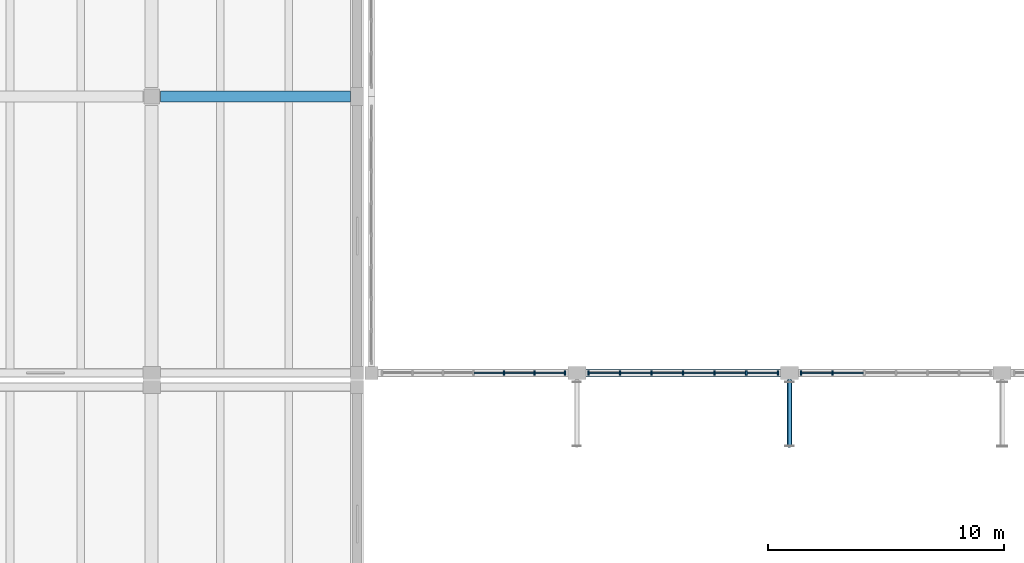
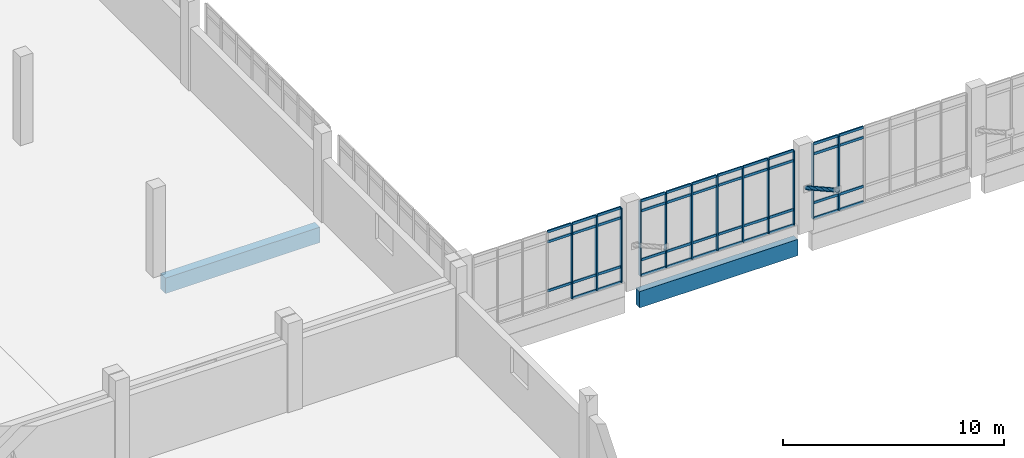
# One storey, part 24 of 110: 56 members, 2 beams, 3 elements without a shape of their own.
"""IFC4 building model written with IfcOpenShell, lengths in metres."""

from ifc_helpers import new_model, si_unit, direction, frame, origin, origin_2d, place, context, subcontext, project, spatial, rectangle, hollow_circle, extrude, material, layer, layer_set, material_profile, profile_set, type_object, element, aggregate, save


model = new_model("IFC4")

# Units and contexts
model_context = context("Model", 3, precision=1e-05, world=origin(), true_north=direction((0.0, 1.0)))
body_context = subcontext(model_context, "Body", "Model", "MODEL_VIEW")
ifc_project = project(units=[si_unit("LENGTHUNIT", "METRE"), si_unit("AREAUNIT", "SQUARE_METRE"), si_unit("VOLUMEUNIT", "CUBIC_METRE"), si_unit("PLANEANGLEUNIT", "RADIAN"), si_unit("MASSUNIT", "GRAM", prefix="KILO")], contexts=[model_context])

# Site, building, storey
site_placement = place(None, origin())
site = spatial("IfcSite", under=ifc_project, at=site_placement, CompositionType="ELEMENT")
building_placement = place(site_placement, origin())
building = spatial("IfcBuilding", under=site, at=building_placement, Name="Zacnel Wholesale Market", CompositionType="ELEMENT")
storey_placement = place(building_placement, frame((0.0, 0.0, 6.300048828125)))
storey = spatial("IfcBuildingStorey", under=building, at=storey_placement, Name="L02", CompositionType="ELEMENT", Elevation=6.300048828125)

# Beams
ifc_material_1 = material(Name="Precast concrete C45/55", Category="concrete")
ifc_material_profile_1 = material_profile(ifc_material_1, rectangle(XDim=0.449951171875, YDim=0.85009765625, at=origin_2d()), Name="PG 450x850")
ifc_profile_set_1 = profile_set([ifc_material_profile_1], Name="Precast concrete C45/55")
beam_type_1 = type_object("IfcBeamType", Name="BM-PG850", PredefinedType="BEAM", material=ifc_profile_set_1)
beam_1_placement = place(storey_placement, frame((63.375, 108.0, -0.7451171875), z_axis=(1.0, 0.0, 0.0), x_axis=(0.0, 1.0, 0.0)))
element("IfcBeam", 1, at=beam_1_placement, inside=storey, type_object=beam_type_1, Name="Precast girder X-0249", PredefinedType="BEAM", context=body_context, shape_type="SweptSolid", body=[
    extrude(rectangle(XDim=0.449951171875, YDim=0.85009765625, at=origin_2d()), origin(), (0.0, 0.0, 1.0), 8.050048828125),
])
ifc_material_2 = material(Name="Precast concrete C45/55", Category="concrete")
ifc_material_profile_2 = material_profile(ifc_material_2, rectangle(XDim=0.35009765625, YDim=0.89990234375, at=origin_2d()), Name="SP 350x900")
ifc_profile_set_2 = profile_set([ifc_material_profile_2], Name="Precast concrete C45/55")
beam_type_2 = type_object("IfcBeamType", Name="BM-SP900", PredefinedType="SPANDREL", material=ifc_profile_set_2)
beam_2_placement = place(storey_placement, frame((81.375, 96.300048828125, -0.75), z_axis=(1.0, 0.0, 0.0), x_axis=(0.0, 1.0, 0.0)))
element("IfcBeam", 2, at=beam_2_placement, inside=storey, type_object=beam_type_2, Name="Precast girder X-0230", PredefinedType="SPANDREL", context=body_context, shape_type="SweptSolid", body=[
    extrude(rectangle(XDim=0.35009765625, YDim=0.89990234375, at=origin_2d()), origin(), (0.0, 0.0, 1.0), 8.25),
])

# Curtain wall, members
ifc_material_3 = material(Name="Anodised aluminium", Category="aluminium")
ifc_layer = layer(ifc_material_3, 0.159912109375)
ifc_layer_set = layer_set([ifc_layer], Name="Anodised aluminium")
curtain_wall_type = type_object("IfcCurtainWallType", Name="CW-NAVE-4200", PredefinedType="NOTDEFINED", material=ifc_layer_set)
curtain_wall_1_placement = place(storey_placement, origin())
curtain_wall_1 = element("IfcCurtainWall", 3, at=curtain_wall_1_placement, inside=storey, type_object=curtain_wall_type, Name="Curtain wall ENV-R2-CW-L02-020", PredefinedType="NOTDEFINED")
ifc_material_4 = material(Name="Anodised aluminium", Category="aluminium")
ifc_material_profile_3 = material_profile(ifc_material_4, rectangle(XDim=0.06494140625, YDim=0.179931640625, at=origin_2d()), Name="AW-MULLION 65x180")
ifc_profile_set_3 = profile_set([ifc_material_profile_3], Name="Anodised aluminium")
member_type_1 = type_object("IfcMemberType", Name="CWM-MUL-03", PredefinedType="MULLION", material=ifc_profile_set_3)
member_1_placement = place(storey_placement, frame((77.919921875, 96.300048828125, 0.449951171875), z_axis=(0.0, 0.0, 1.0), x_axis=(1.0, 0.0, 0.0)))
member_1 = element("IfcMember", 4, at=member_1_placement, type_object=member_type_1, Name="ENV-R2-CW-L02-020 mullion 05", PredefinedType="MULLION", context=body_context, shape_type="SweptSolid", body=[
    extrude(rectangle(XDim=0.06494140625, YDim=0.179931640625, at=origin_2d()), origin(), (0.0, 0.0, 1.0), 4.10009765625),
])
member_2_placement = place(storey_placement, frame((79.21240234375, 96.300048828125, 0.449951171875), z_axis=(0.0, 0.0, 1.0), x_axis=(1.0, 0.0, 0.0)))
member_2 = element("IfcMember", 5, at=member_2_placement, type_object=member_type_1, Name="ENV-R2-CW-L02-020 mullion 06", PredefinedType="MULLION", context=body_context, shape_type="SweptSolid", body=[
    extrude(rectangle(XDim=0.06494140625, YDim=0.179931640625, at=origin_2d()), origin(), (0.0, 0.0, 1.0), 4.10009765625),
])
member_3_placement = place(storey_placement, frame((80.5048828125, 96.300048828125, 0.449951171875), z_axis=(0.0, 0.0, 1.0), x_axis=(1.0, 0.0, 0.0)))
member_3 = element("IfcMember", 6, at=member_3_placement, type_object=member_type_1, Name="ENV-R2-CW-L02-020 mullion 07", PredefinedType="MULLION", context=body_context, shape_type="SweptSolid", body=[
    extrude(rectangle(XDim=0.06494140625, YDim=0.179931640625, at=origin_2d()), origin(), (0.0, 0.0, 1.0), 4.10009765625),
])

curtain_wall_2_placement = place(storey_placement, origin())
curtain_wall_2 = element("IfcCurtainWall", 7, at=curtain_wall_2_placement, inside=storey, type_object=curtain_wall_type, Name="Curtain wall ENV-R2-CW-L02-021", PredefinedType="NOTDEFINED")
member_4_placement = place(storey_placement, frame((81.4951171875, 96.300048828125, 0.449951171875), z_axis=(0.0, 0.0, 1.0), x_axis=(1.0, 0.0, 0.0)))
member_4 = element("IfcMember", 8, at=member_4_placement, type_object=member_type_1, Name="ENV-R2-CW-L02-021 mullion 01", PredefinedType="MULLION", context=body_context, shape_type="SweptSolid", body=[
    extrude(rectangle(XDim=0.06494140625, YDim=0.179931640625, at=origin_2d()), origin(), (0.0, 0.0, 1.0), 4.10009765625),
])
member_5_placement = place(storey_placement, frame((82.830078125, 96.300048828125, 0.449951171875), z_axis=(0.0, 0.0, 1.0), x_axis=(1.0, 0.0, 0.0)))
member_5 = element("IfcMember", 9, at=member_5_placement, type_object=member_type_1, Name="ENV-R2-CW-L02-021 mullion 02", PredefinedType="MULLION", context=body_context, shape_type="SweptSolid", body=[
    extrude(rectangle(XDim=0.06494140625, YDim=0.179931640625, at=origin_2d()), origin(), (0.0, 0.0, 1.0), 4.10009765625),
])
member_6_placement = place(storey_placement, frame((84.1650390625, 96.300048828125, 0.449951171875), z_axis=(0.0, 0.0, 1.0), x_axis=(1.0, 0.0, 0.0)))
member_6 = element("IfcMember", 10, at=member_6_placement, type_object=member_type_1, Name="ENV-R2-CW-L02-021 mullion 03", PredefinedType="MULLION", context=body_context, shape_type="SweptSolid", body=[
    extrude(rectangle(XDim=0.06494140625, YDim=0.179931640625, at=origin_2d()), origin(), (0.0, 0.0, 1.0), 4.10009765625),
])
member_7_placement = place(storey_placement, frame((85.5, 96.300048828125, 0.449951171875), z_axis=(0.0, 0.0, 1.0), x_axis=(1.0, 0.0, 0.0)))
member_7 = element("IfcMember", 11, at=member_7_placement, type_object=member_type_1, Name="ENV-R2-CW-L02-021 mullion 04", PredefinedType="MULLION", context=body_context, shape_type="SweptSolid", body=[
    extrude(rectangle(XDim=0.06494140625, YDim=0.179931640625, at=origin_2d()), origin(), (0.0, 0.0, 1.0), 4.10009765625),
])
member_8_placement = place(storey_placement, frame((86.8349609375, 96.300048828125, 0.449951171875), z_axis=(0.0, 0.0, 1.0), x_axis=(1.0, 0.0, 0.0)))
member_8 = element("IfcMember", 12, at=member_8_placement, type_object=member_type_1, Name="ENV-R2-CW-L02-021 mullion 05", PredefinedType="MULLION", context=body_context, shape_type="SweptSolid", body=[
    extrude(rectangle(XDim=0.06494140625, YDim=0.179931640625, at=origin_2d()), origin(), (0.0, 0.0, 1.0), 4.10009765625),
])
member_9_placement = place(storey_placement, frame((88.169921875, 96.300048828125, 0.449951171875), z_axis=(0.0, 0.0, 1.0), x_axis=(1.0, 0.0, 0.0)))
member_9 = element("IfcMember", 13, at=member_9_placement, type_object=member_type_1, Name="ENV-R2-CW-L02-021 mullion 06", PredefinedType="MULLION", context=body_context, shape_type="SweptSolid", body=[
    extrude(rectangle(XDim=0.06494140625, YDim=0.179931640625, at=origin_2d()), origin(), (0.0, 0.0, 1.0), 4.10009765625),
])
member_10_placement = place(storey_placement, frame((89.5048828125, 96.300048828125, 0.449951171875), z_axis=(0.0, 0.0, 1.0), x_axis=(1.0, 0.0, 0.0)))
member_10 = element("IfcMember", 14, at=member_10_placement, type_object=member_type_1, Name="ENV-R2-CW-L02-021 mullion 07", PredefinedType="MULLION", context=body_context, shape_type="SweptSolid", body=[
    extrude(rectangle(XDim=0.06494140625, YDim=0.179931640625, at=origin_2d()), origin(), (0.0, 0.0, 1.0), 4.10009765625),
])

curtain_wall_3_placement = place(storey_placement, origin())
curtain_wall_3 = element("IfcCurtainWall", 15, at=curtain_wall_3_placement, inside=storey, type_object=curtain_wall_type, Name="Curtain wall ENV-R2-CW-L02-022", PredefinedType="NOTDEFINED")
member_11_placement = place(storey_placement, frame((90.4951171875, 96.300048828125, 0.449951171875), z_axis=(0.0, 0.0, 1.0), x_axis=(1.0, 0.0, 0.0)))
member_11 = element("IfcMember", 16, at=member_11_placement, type_object=member_type_1, Name="ENV-R2-CW-L02-022 mullion 01", PredefinedType="MULLION", context=body_context, shape_type="SweptSolid", body=[
    extrude(rectangle(XDim=0.06494140625, YDim=0.179931640625, at=origin_2d()), origin(), (0.0, 0.0, 1.0), 4.10009765625),
])
member_12_placement = place(storey_placement, frame((91.830078125, 96.300048828125, 0.449951171875), z_axis=(0.0, 0.0, 1.0), x_axis=(1.0, 0.0, 0.0)))
member_12 = element("IfcMember", 17, at=member_12_placement, type_object=member_type_1, Name="ENV-R2-CW-L02-022 mullion 02", PredefinedType="MULLION", context=body_context, shape_type="SweptSolid", body=[
    extrude(rectangle(XDim=0.06494140625, YDim=0.179931640625, at=origin_2d()), origin(), (0.0, 0.0, 1.0), 4.10009765625),
])

# Member
ifc_material_5 = material(Name="Anodised aluminium", Category="aluminium")
ifc_material_profile_4 = material_profile(ifc_material_5, rectangle(XDim=0.06494140625, YDim=0.139892578125, at=origin_2d()), Name="AW-TRANSOM 65x140")
ifc_profile_set_4 = profile_set([ifc_material_profile_4], Name="Anodised aluminium")
member_type_2 = type_object("IfcMemberType", Name="CWM-TRN-03", PredefinedType="USERDEFINED", material=ifc_profile_set_4)
member_13_placement = place(storey_placement, frame((76.66259765625, 96.300048828125, 1.300048828125), z_axis=(1.0, 0.0, 0.0), x_axis=(0.0, 1.0, 0.0)))
member_13 = element("IfcMember", 18, at=member_13_placement, type_object=member_type_2, Name="ENV-R2-CW-L02-020 transom 4-2", ObjectType="TRANSOM", PredefinedType="USERDEFINED", context=body_context, shape_type="SweptSolid", body=[
    extrude(rectangle(XDim=0.06494140625, YDim=0.139892578125, at=origin_2d()), origin(), (0.0, 0.0, 1.0), 1.222412109375),
])

member_14_placement = place(storey_placement, frame((76.66259765625, 96.300048828125, 4.0), z_axis=(1.0, 0.0, 0.0), x_axis=(0.0, 1.0, 0.0)))
member_14 = element("IfcMember", 19, at=member_14_placement, type_object=member_type_2, Name="ENV-R2-CW-L02-020 transom 4-3", ObjectType="TRANSOM", PredefinedType="USERDEFINED", context=body_context, shape_type="SweptSolid", body=[
    extrude(rectangle(XDim=0.06494140625, YDim=0.139892578125, at=origin_2d()), origin(), (0.0, 0.0, 1.0), 1.222412109375),
])

member_15_placement = place(storey_placement, frame((76.66259765625, 96.300048828125, 4.550048828125), z_axis=(1.0, 0.0, 0.0), x_axis=(0.0, 1.0, 0.0)))
member_15 = element("IfcMember", 20, at=member_15_placement, type_object=member_type_2, Name="ENV-R2-CW-L02-020 transom 4-4", ObjectType="TRANSOM", PredefinedType="USERDEFINED", context=body_context, shape_type="SweptSolid", body=[
    extrude(rectangle(XDim=0.06494140625, YDim=0.139892578125, at=origin_2d()), origin(), (0.0, 0.0, 1.0), 1.222412109375),
])

member_16_placement = place(storey_placement, frame((77.955078125, 96.300048828125, 0.449951171875), z_axis=(1.0, 0.0, 0.0), x_axis=(0.0, 1.0, 0.0)))
member_16 = element("IfcMember", 21, at=member_16_placement, type_object=member_type_2, Name="ENV-R2-CW-L02-020 transom 5-1", ObjectType="TRANSOM", PredefinedType="USERDEFINED", context=body_context, shape_type="SweptSolid", body=[
    extrude(rectangle(XDim=0.06494140625, YDim=0.139892578125, at=origin_2d()), origin(), (0.0, 0.0, 1.0), 1.222412109375),
])

member_17_placement = place(storey_placement, frame((77.955078125, 96.300048828125, 1.300048828125), z_axis=(1.0, 0.0, 0.0), x_axis=(0.0, 1.0, 0.0)))
member_17 = element("IfcMember", 22, at=member_17_placement, type_object=member_type_2, Name="ENV-R2-CW-L02-020 transom 5-2", ObjectType="TRANSOM", PredefinedType="USERDEFINED", context=body_context, shape_type="SweptSolid", body=[
    extrude(rectangle(XDim=0.06494140625, YDim=0.139892578125, at=origin_2d()), origin(), (0.0, 0.0, 1.0), 1.222412109375),
])

member_18_placement = place(storey_placement, frame((77.955078125, 96.300048828125, 4.0), z_axis=(1.0, 0.0, 0.0), x_axis=(0.0, 1.0, 0.0)))
member_18 = element("IfcMember", 23, at=member_18_placement, type_object=member_type_2, Name="ENV-R2-CW-L02-020 transom 5-3", ObjectType="TRANSOM", PredefinedType="USERDEFINED", context=body_context, shape_type="SweptSolid", body=[
    extrude(rectangle(XDim=0.06494140625, YDim=0.139892578125, at=origin_2d()), origin(), (0.0, 0.0, 1.0), 1.222412109375),
])

member_19_placement = place(storey_placement, frame((77.955078125, 96.300048828125, 4.550048828125), z_axis=(1.0, 0.0, 0.0), x_axis=(0.0, 1.0, 0.0)))
member_19 = element("IfcMember", 24, at=member_19_placement, type_object=member_type_2, Name="ENV-R2-CW-L02-020 transom 5-4", ObjectType="TRANSOM", PredefinedType="USERDEFINED", context=body_context, shape_type="SweptSolid", body=[
    extrude(rectangle(XDim=0.06494140625, YDim=0.139892578125, at=origin_2d()), origin(), (0.0, 0.0, 1.0), 1.222412109375),
])

member_20_placement = place(storey_placement, frame((79.24755859375, 96.300048828125, 0.449951171875), z_axis=(1.0, 0.0, 0.0), x_axis=(0.0, 1.0, 0.0)))
member_20 = element("IfcMember", 25, at=member_20_placement, type_object=member_type_2, Name="ENV-R2-CW-L02-020 transom 6-1", ObjectType="TRANSOM", PredefinedType="USERDEFINED", context=body_context, shape_type="SweptSolid", body=[
    extrude(rectangle(XDim=0.06494140625, YDim=0.139892578125, at=origin_2d()), origin(), (0.0, 0.0, 1.0), 1.222412109375),
])

member_21_placement = place(storey_placement, frame((79.24755859375, 96.300048828125, 1.300048828125), z_axis=(1.0, 0.0, 0.0), x_axis=(0.0, 1.0, 0.0)))
member_21 = element("IfcMember", 26, at=member_21_placement, type_object=member_type_2, Name="ENV-R2-CW-L02-020 transom 6-2", ObjectType="TRANSOM", PredefinedType="USERDEFINED", context=body_context, shape_type="SweptSolid", body=[
    extrude(rectangle(XDim=0.06494140625, YDim=0.139892578125, at=origin_2d()), origin(), (0.0, 0.0, 1.0), 1.222412109375),
])

member_22_placement = place(storey_placement, frame((79.24755859375, 96.300048828125, 4.0), z_axis=(1.0, 0.0, 0.0), x_axis=(0.0, 1.0, 0.0)))
member_22 = element("IfcMember", 27, at=member_22_placement, type_object=member_type_2, Name="ENV-R2-CW-L02-020 transom 6-3", ObjectType="TRANSOM", PredefinedType="USERDEFINED", context=body_context, shape_type="SweptSolid", body=[
    extrude(rectangle(XDim=0.06494140625, YDim=0.139892578125, at=origin_2d()), origin(), (0.0, 0.0, 1.0), 1.222412109375),
])

member_23_placement = place(storey_placement, frame((79.24755859375, 96.300048828125, 4.550048828125), z_axis=(1.0, 0.0, 0.0), x_axis=(0.0, 1.0, 0.0)))
member_23 = element("IfcMember", 28, at=member_23_placement, type_object=member_type_2, Name="ENV-R2-CW-L02-020 transom 6-4", ObjectType="TRANSOM", PredefinedType="USERDEFINED", context=body_context, shape_type="SweptSolid", body=[
    extrude(rectangle(XDim=0.06494140625, YDim=0.139892578125, at=origin_2d()), origin(), (0.0, 0.0, 1.0), 1.222412109375),
])

aggregate(curtain_wall_1, [member_1, member_2, member_3, member_13, member_14, member_15, member_16, member_17, member_18, member_19, member_20, member_21, member_22, member_23])

member_24_placement = place(storey_placement, frame((81.530029296875, 96.300048828125, 0.449951171875), z_axis=(1.0, 0.0, 0.0), x_axis=(0.0, 1.0, 0.0)))
member_24 = element("IfcMember", 29, at=member_24_placement, type_object=member_type_2, Name="ENV-R2-CW-L02-021 transom 1-1", ObjectType="TRANSOM", PredefinedType="USERDEFINED", context=body_context, shape_type="SweptSolid", body=[
    extrude(rectangle(XDim=0.06494140625, YDim=0.139892578125, at=origin_2d()), origin(), (0.0, 0.0, 1.0), 1.264892578125),
])

member_25_placement = place(storey_placement, frame((81.530029296875, 96.300048828125, 1.300048828125), z_axis=(1.0, 0.0, 0.0), x_axis=(0.0, 1.0, 0.0)))
member_25 = element("IfcMember", 30, at=member_25_placement, type_object=member_type_2, Name="ENV-R2-CW-L02-021 transom 1-2", ObjectType="TRANSOM", PredefinedType="USERDEFINED", context=body_context, shape_type="SweptSolid", body=[
    extrude(rectangle(XDim=0.06494140625, YDim=0.139892578125, at=origin_2d()), origin(), (0.0, 0.0, 1.0), 1.264892578125),
])

member_26_placement = place(storey_placement, frame((81.530029296875, 96.300048828125, 4.0), z_axis=(1.0, 0.0, 0.0), x_axis=(0.0, 1.0, 0.0)))
member_26 = element("IfcMember", 31, at=member_26_placement, type_object=member_type_2, Name="ENV-R2-CW-L02-021 transom 1-3", ObjectType="TRANSOM", PredefinedType="USERDEFINED", context=body_context, shape_type="SweptSolid", body=[
    extrude(rectangle(XDim=0.06494140625, YDim=0.139892578125, at=origin_2d()), origin(), (0.0, 0.0, 1.0), 1.264892578125),
])

member_27_placement = place(storey_placement, frame((81.530029296875, 96.300048828125, 4.550048828125), z_axis=(1.0, 0.0, 0.0), x_axis=(0.0, 1.0, 0.0)))
member_27 = element("IfcMember", 32, at=member_27_placement, type_object=member_type_2, Name="ENV-R2-CW-L02-021 transom 1-4", ObjectType="TRANSOM", PredefinedType="USERDEFINED", context=body_context, shape_type="SweptSolid", body=[
    extrude(rectangle(XDim=0.06494140625, YDim=0.139892578125, at=origin_2d()), origin(), (0.0, 0.0, 1.0), 1.264892578125),
])

member_28_placement = place(storey_placement, frame((82.864990234375, 96.300048828125, 0.449951171875), z_axis=(1.0, 0.0, 0.0), x_axis=(0.0, 1.0, 0.0)))
member_28 = element("IfcMember", 33, at=member_28_placement, type_object=member_type_2, Name="ENV-R2-CW-L02-021 transom 2-1", ObjectType="TRANSOM", PredefinedType="USERDEFINED", context=body_context, shape_type="SweptSolid", body=[
    extrude(rectangle(XDim=0.06494140625, YDim=0.139892578125, at=origin_2d()), origin(), (0.0, 0.0, 1.0), 1.264892578125),
])

member_29_placement = place(storey_placement, frame((82.864990234375, 96.300048828125, 1.300048828125), z_axis=(1.0, 0.0, 0.0), x_axis=(0.0, 1.0, 0.0)))
member_29 = element("IfcMember", 34, at=member_29_placement, type_object=member_type_2, Name="ENV-R2-CW-L02-021 transom 2-2", ObjectType="TRANSOM", PredefinedType="USERDEFINED", context=body_context, shape_type="SweptSolid", body=[
    extrude(rectangle(XDim=0.06494140625, YDim=0.139892578125, at=origin_2d()), origin(), (0.0, 0.0, 1.0), 1.264892578125),
])

member_30_placement = place(storey_placement, frame((82.864990234375, 96.300048828125, 4.0), z_axis=(1.0, 0.0, 0.0), x_axis=(0.0, 1.0, 0.0)))
member_30 = element("IfcMember", 35, at=member_30_placement, type_object=member_type_2, Name="ENV-R2-CW-L02-021 transom 2-3", ObjectType="TRANSOM", PredefinedType="USERDEFINED", context=body_context, shape_type="SweptSolid", body=[
    extrude(rectangle(XDim=0.06494140625, YDim=0.139892578125, at=origin_2d()), origin(), (0.0, 0.0, 1.0), 1.264892578125),
])

member_31_placement = place(storey_placement, frame((82.864990234375, 96.300048828125, 4.550048828125), z_axis=(1.0, 0.0, 0.0), x_axis=(0.0, 1.0, 0.0)))
member_31 = element("IfcMember", 36, at=member_31_placement, type_object=member_type_2, Name="ENV-R2-CW-L02-021 transom 2-4", ObjectType="TRANSOM", PredefinedType="USERDEFINED", context=body_context, shape_type="SweptSolid", body=[
    extrude(rectangle(XDim=0.06494140625, YDim=0.139892578125, at=origin_2d()), origin(), (0.0, 0.0, 1.0), 1.264892578125),
])

member_32_placement = place(storey_placement, frame((84.199951171875, 96.300048828125, 0.449951171875), z_axis=(1.0, 0.0, 0.0), x_axis=(0.0, 1.0, 0.0)))
member_32 = element("IfcMember", 37, at=member_32_placement, type_object=member_type_2, Name="ENV-R2-CW-L02-021 transom 3-1", ObjectType="TRANSOM", PredefinedType="USERDEFINED", context=body_context, shape_type="SweptSolid", body=[
    extrude(rectangle(XDim=0.06494140625, YDim=0.139892578125, at=origin_2d()), origin(), (0.0, 0.0, 1.0), 1.26513671875),
])

member_33_placement = place(storey_placement, frame((84.199951171875, 96.300048828125, 1.300048828125), z_axis=(1.0, 0.0, 0.0), x_axis=(0.0, 1.0, 0.0)))
member_33 = element("IfcMember", 38, at=member_33_placement, type_object=member_type_2, Name="ENV-R2-CW-L02-021 transom 3-2", ObjectType="TRANSOM", PredefinedType="USERDEFINED", context=body_context, shape_type="SweptSolid", body=[
    extrude(rectangle(XDim=0.06494140625, YDim=0.139892578125, at=origin_2d()), origin(), (0.0, 0.0, 1.0), 1.26513671875),
])

member_34_placement = place(storey_placement, frame((84.199951171875, 96.300048828125, 4.0), z_axis=(1.0, 0.0, 0.0), x_axis=(0.0, 1.0, 0.0)))
member_34 = element("IfcMember", 39, at=member_34_placement, type_object=member_type_2, Name="ENV-R2-CW-L02-021 transom 3-3", ObjectType="TRANSOM", PredefinedType="USERDEFINED", context=body_context, shape_type="SweptSolid", body=[
    extrude(rectangle(XDim=0.06494140625, YDim=0.139892578125, at=origin_2d()), origin(), (0.0, 0.0, 1.0), 1.26513671875),
])

member_35_placement = place(storey_placement, frame((84.199951171875, 96.300048828125, 4.550048828125), z_axis=(1.0, 0.0, 0.0), x_axis=(0.0, 1.0, 0.0)))
member_35 = element("IfcMember", 40, at=member_35_placement, type_object=member_type_2, Name="ENV-R2-CW-L02-021 transom 3-4", ObjectType="TRANSOM", PredefinedType="USERDEFINED", context=body_context, shape_type="SweptSolid", body=[
    extrude(rectangle(XDim=0.06494140625, YDim=0.139892578125, at=origin_2d()), origin(), (0.0, 0.0, 1.0), 1.26513671875),
])

member_36_placement = place(storey_placement, frame((85.534912109375, 96.300048828125, 0.449951171875), z_axis=(1.0, 0.0, 0.0), x_axis=(0.0, 1.0, 0.0)))
member_36 = element("IfcMember", 41, at=member_36_placement, type_object=member_type_2, Name="ENV-R2-CW-L02-021 transom 4-1", ObjectType="TRANSOM", PredefinedType="USERDEFINED", context=body_context, shape_type="SweptSolid", body=[
    extrude(rectangle(XDim=0.06494140625, YDim=0.139892578125, at=origin_2d()), origin(), (0.0, 0.0, 1.0), 1.26513671875),
])

member_37_placement = place(storey_placement, frame((85.534912109375, 96.300048828125, 1.300048828125), z_axis=(1.0, 0.0, 0.0), x_axis=(0.0, 1.0, 0.0)))
member_37 = element("IfcMember", 42, at=member_37_placement, type_object=member_type_2, Name="ENV-R2-CW-L02-021 transom 4-2", ObjectType="TRANSOM", PredefinedType="USERDEFINED", context=body_context, shape_type="SweptSolid", body=[
    extrude(rectangle(XDim=0.06494140625, YDim=0.139892578125, at=origin_2d()), origin(), (0.0, 0.0, 1.0), 1.26513671875),
])

member_38_placement = place(storey_placement, frame((85.534912109375, 96.300048828125, 4.0), z_axis=(1.0, 0.0, 0.0), x_axis=(0.0, 1.0, 0.0)))
member_38 = element("IfcMember", 43, at=member_38_placement, type_object=member_type_2, Name="ENV-R2-CW-L02-021 transom 4-3", ObjectType="TRANSOM", PredefinedType="USERDEFINED", context=body_context, shape_type="SweptSolid", body=[
    extrude(rectangle(XDim=0.06494140625, YDim=0.139892578125, at=origin_2d()), origin(), (0.0, 0.0, 1.0), 1.26513671875),
])

member_39_placement = place(storey_placement, frame((85.534912109375, 96.300048828125, 4.550048828125), z_axis=(1.0, 0.0, 0.0), x_axis=(0.0, 1.0, 0.0)))
member_39 = element("IfcMember", 44, at=member_39_placement, type_object=member_type_2, Name="ENV-R2-CW-L02-021 transom 4-4", ObjectType="TRANSOM", PredefinedType="USERDEFINED", context=body_context, shape_type="SweptSolid", body=[
    extrude(rectangle(XDim=0.06494140625, YDim=0.139892578125, at=origin_2d()), origin(), (0.0, 0.0, 1.0), 1.26513671875),
])

member_40_placement = place(storey_placement, frame((86.8701171875, 96.300048828125, 0.449951171875), z_axis=(1.0, 0.0, 0.0), x_axis=(0.0, 1.0, 0.0)))
member_40 = element("IfcMember", 45, at=member_40_placement, type_object=member_type_2, Name="ENV-R2-CW-L02-021 transom 5-1", ObjectType="TRANSOM", PredefinedType="USERDEFINED", context=body_context, shape_type="SweptSolid", body=[
    extrude(rectangle(XDim=0.06494140625, YDim=0.139892578125, at=origin_2d()), origin(), (0.0, 0.0, 1.0), 1.264892578125),
])

member_41_placement = place(storey_placement, frame((86.8701171875, 96.300048828125, 1.300048828125), z_axis=(1.0, 0.0, 0.0), x_axis=(0.0, 1.0, 0.0)))
member_41 = element("IfcMember", 46, at=member_41_placement, type_object=member_type_2, Name="ENV-R2-CW-L02-021 transom 5-2", ObjectType="TRANSOM", PredefinedType="USERDEFINED", context=body_context, shape_type="SweptSolid", body=[
    extrude(rectangle(XDim=0.06494140625, YDim=0.139892578125, at=origin_2d()), origin(), (0.0, 0.0, 1.0), 1.264892578125),
])

member_42_placement = place(storey_placement, frame((86.8701171875, 96.300048828125, 4.0), z_axis=(1.0, 0.0, 0.0), x_axis=(0.0, 1.0, 0.0)))
member_42 = element("IfcMember", 47, at=member_42_placement, type_object=member_type_2, Name="ENV-R2-CW-L02-021 transom 5-3", ObjectType="TRANSOM", PredefinedType="USERDEFINED", context=body_context, shape_type="SweptSolid", body=[
    extrude(rectangle(XDim=0.06494140625, YDim=0.139892578125, at=origin_2d()), origin(), (0.0, 0.0, 1.0), 1.264892578125),
])

member_43_placement = place(storey_placement, frame((86.8701171875, 96.300048828125, 4.550048828125), z_axis=(1.0, 0.0, 0.0), x_axis=(0.0, 1.0, 0.0)))
member_43 = element("IfcMember", 48, at=member_43_placement, type_object=member_type_2, Name="ENV-R2-CW-L02-021 transom 5-4", ObjectType="TRANSOM", PredefinedType="USERDEFINED", context=body_context, shape_type="SweptSolid", body=[
    extrude(rectangle(XDim=0.06494140625, YDim=0.139892578125, at=origin_2d()), origin(), (0.0, 0.0, 1.0), 1.264892578125),
])

member_44_placement = place(storey_placement, frame((88.205078125, 96.300048828125, 0.449951171875), z_axis=(1.0, 0.0, 0.0), x_axis=(0.0, 1.0, 0.0)))
member_44 = element("IfcMember", 49, at=member_44_placement, type_object=member_type_2, Name="ENV-R2-CW-L02-021 transom 6-1", ObjectType="TRANSOM", PredefinedType="USERDEFINED", context=body_context, shape_type="SweptSolid", body=[
    extrude(rectangle(XDim=0.06494140625, YDim=0.139892578125, at=origin_2d()), origin(), (0.0, 0.0, 1.0), 1.264892578125),
])

member_45_placement = place(storey_placement, frame((88.205078125, 96.300048828125, 1.300048828125), z_axis=(1.0, 0.0, 0.0), x_axis=(0.0, 1.0, 0.0)))
member_45 = element("IfcMember", 50, at=member_45_placement, type_object=member_type_2, Name="ENV-R2-CW-L02-021 transom 6-2", ObjectType="TRANSOM", PredefinedType="USERDEFINED", context=body_context, shape_type="SweptSolid", body=[
    extrude(rectangle(XDim=0.06494140625, YDim=0.139892578125, at=origin_2d()), origin(), (0.0, 0.0, 1.0), 1.264892578125),
])

member_46_placement = place(storey_placement, frame((88.205078125, 96.300048828125, 4.0), z_axis=(1.0, 0.0, 0.0), x_axis=(0.0, 1.0, 0.0)))
member_46 = element("IfcMember", 51, at=member_46_placement, type_object=member_type_2, Name="ENV-R2-CW-L02-021 transom 6-3", ObjectType="TRANSOM", PredefinedType="USERDEFINED", context=body_context, shape_type="SweptSolid", body=[
    extrude(rectangle(XDim=0.06494140625, YDim=0.139892578125, at=origin_2d()), origin(), (0.0, 0.0, 1.0), 1.264892578125),
])

member_47_placement = place(storey_placement, frame((88.205078125, 96.300048828125, 4.550048828125), z_axis=(1.0, 0.0, 0.0), x_axis=(0.0, 1.0, 0.0)))
member_47 = element("IfcMember", 52, at=member_47_placement, type_object=member_type_2, Name="ENV-R2-CW-L02-021 transom 6-4", ObjectType="TRANSOM", PredefinedType="USERDEFINED", context=body_context, shape_type="SweptSolid", body=[
    extrude(rectangle(XDim=0.06494140625, YDim=0.139892578125, at=origin_2d()), origin(), (0.0, 0.0, 1.0), 1.264892578125),
])

aggregate(curtain_wall_2, [member_4, member_5, member_6, member_7, member_8, member_9, member_10, member_24, member_25, member_26, member_27, member_28, member_29, member_30, member_31, member_32, member_33, member_34, member_35, member_36, member_37, member_38, member_39, member_40, member_41, member_42, member_43, member_44, member_45, member_46, member_47])

member_48_placement = place(storey_placement, frame((90.530029296875, 96.300048828125, 0.449951171875), z_axis=(1.0, 0.0, 0.0), x_axis=(0.0, 1.0, 0.0)))
member_48 = element("IfcMember", 53, at=member_48_placement, type_object=member_type_2, Name="ENV-R2-CW-L02-022 transom 1-1", ObjectType="TRANSOM", PredefinedType="USERDEFINED", context=body_context, shape_type="SweptSolid", body=[
    extrude(rectangle(XDim=0.06494140625, YDim=0.139892578125, at=origin_2d()), origin(), (0.0, 0.0, 1.0), 1.264892578125),
])

member_49_placement = place(storey_placement, frame((90.530029296875, 96.300048828125, 1.300048828125), z_axis=(1.0, 0.0, 0.0), x_axis=(0.0, 1.0, 0.0)))
member_49 = element("IfcMember", 54, at=member_49_placement, type_object=member_type_2, Name="ENV-R2-CW-L02-022 transom 1-2", ObjectType="TRANSOM", PredefinedType="USERDEFINED", context=body_context, shape_type="SweptSolid", body=[
    extrude(rectangle(XDim=0.06494140625, YDim=0.139892578125, at=origin_2d()), origin(), (0.0, 0.0, 1.0), 1.264892578125),
])

member_50_placement = place(storey_placement, frame((90.530029296875, 96.300048828125, 4.0), z_axis=(1.0, 0.0, 0.0), x_axis=(0.0, 1.0, 0.0)))
member_50 = element("IfcMember", 55, at=member_50_placement, type_object=member_type_2, Name="ENV-R2-CW-L02-022 transom 1-3", ObjectType="TRANSOM", PredefinedType="USERDEFINED", context=body_context, shape_type="SweptSolid", body=[
    extrude(rectangle(XDim=0.06494140625, YDim=0.139892578125, at=origin_2d()), origin(), (0.0, 0.0, 1.0), 1.264892578125),
])

member_51_placement = place(storey_placement, frame((90.530029296875, 96.300048828125, 4.550048828125), z_axis=(1.0, 0.0, 0.0), x_axis=(0.0, 1.0, 0.0)))
member_51 = element("IfcMember", 56, at=member_51_placement, type_object=member_type_2, Name="ENV-R2-CW-L02-022 transom 1-4", ObjectType="TRANSOM", PredefinedType="USERDEFINED", context=body_context, shape_type="SweptSolid", body=[
    extrude(rectangle(XDim=0.06494140625, YDim=0.139892578125, at=origin_2d()), origin(), (0.0, 0.0, 1.0), 1.264892578125),
])

member_52_placement = place(storey_placement, frame((91.864990234375, 96.300048828125, 0.449951171875), z_axis=(1.0, 0.0, 0.0), x_axis=(0.0, 1.0, 0.0)))
member_52 = element("IfcMember", 57, at=member_52_placement, type_object=member_type_2, Name="ENV-R2-CW-L02-022 transom 2-1", ObjectType="TRANSOM", PredefinedType="USERDEFINED", context=body_context, shape_type="SweptSolid", body=[
    extrude(rectangle(XDim=0.06494140625, YDim=0.139892578125, at=origin_2d()), origin(), (0.0, 0.0, 1.0), 1.264892578125),
])

member_53_placement = place(storey_placement, frame((91.864990234375, 96.300048828125, 1.300048828125), z_axis=(1.0, 0.0, 0.0), x_axis=(0.0, 1.0, 0.0)))
member_53 = element("IfcMember", 58, at=member_53_placement, type_object=member_type_2, Name="ENV-R2-CW-L02-022 transom 2-2", ObjectType="TRANSOM", PredefinedType="USERDEFINED", context=body_context, shape_type="SweptSolid", body=[
    extrude(rectangle(XDim=0.06494140625, YDim=0.139892578125, at=origin_2d()), origin(), (0.0, 0.0, 1.0), 1.264892578125),
])

member_54_placement = place(storey_placement, frame((91.864990234375, 96.300048828125, 4.0), z_axis=(1.0, 0.0, 0.0), x_axis=(0.0, 1.0, 0.0)))
member_54 = element("IfcMember", 59, at=member_54_placement, type_object=member_type_2, Name="ENV-R2-CW-L02-022 transom 2-3", ObjectType="TRANSOM", PredefinedType="USERDEFINED", context=body_context, shape_type="SweptSolid", body=[
    extrude(rectangle(XDim=0.06494140625, YDim=0.139892578125, at=origin_2d()), origin(), (0.0, 0.0, 1.0), 1.264892578125),
])

member_55_placement = place(storey_placement, frame((91.864990234375, 96.300048828125, 4.550048828125), z_axis=(1.0, 0.0, 0.0), x_axis=(0.0, 1.0, 0.0)))
member_55 = element("IfcMember", 60, at=member_55_placement, type_object=member_type_2, Name="ENV-R2-CW-L02-022 transom 2-4", ObjectType="TRANSOM", PredefinedType="USERDEFINED", context=body_context, shape_type="SweptSolid", body=[
    extrude(rectangle(XDim=0.06494140625, YDim=0.139892578125, at=origin_2d()), origin(), (0.0, 0.0, 1.0), 1.264892578125),
])

aggregate(curtain_wall_3, [member_11, member_12, member_48, member_49, member_50, member_51, member_52, member_53, member_54, member_55])

ifc_material_6 = material(Name="Steel S355", Category="steel")
ifc_material_profile_5 = material_profile(ifc_material_6, hollow_circle(Radius=0.109619140625, WallThickness=0.010009765625, at=origin_2d()), Name="CHS 219.1x10")
ifc_profile_set_5 = profile_set([ifc_material_profile_5], Name="Steel S355")
member_type_3 = type_object("IfcMemberType", Name="MEM-STR-CHS219", PredefinedType="STRUT", material=ifc_profile_set_5)
member_56_placement = place(storey_placement, frame((90.0, 95.97998046875, 2.5), z_axis=(0.0, -0.873410930295, 0.48698392873), x_axis=(1.0, 0.0, 0.0)))
element("IfcMember", 61, at=member_56_placement, inside=storey, type_object=member_type_3, Name="Storm eave knee strut 003", PredefinedType="STRUT", context=body_context, shape_type="SweptSolid", body=[
    extrude(hollow_circle(Radius=0.109619140625, WallThickness=0.010009765625, at=origin_2d()), origin(), (0.0, 0.0, 1.0), 3.182861328125),
])

save(model, "model.ifc")
